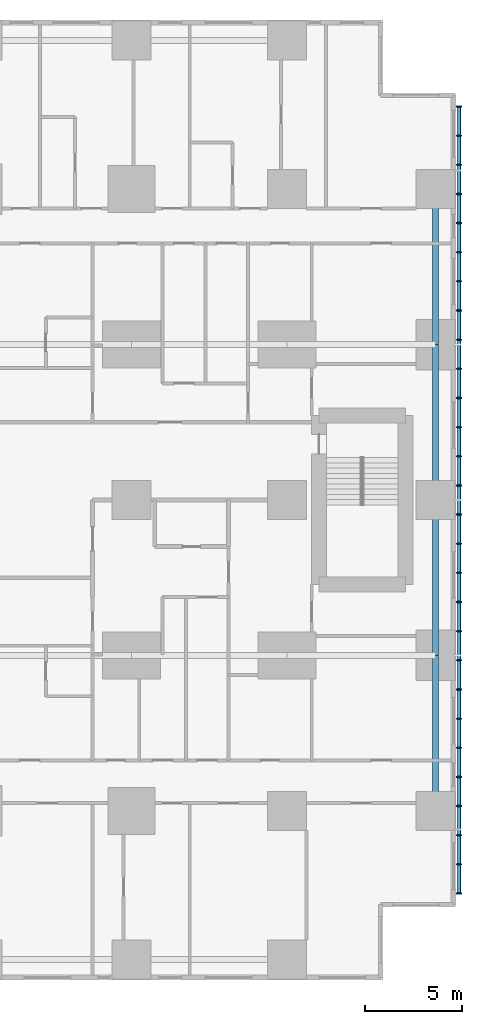
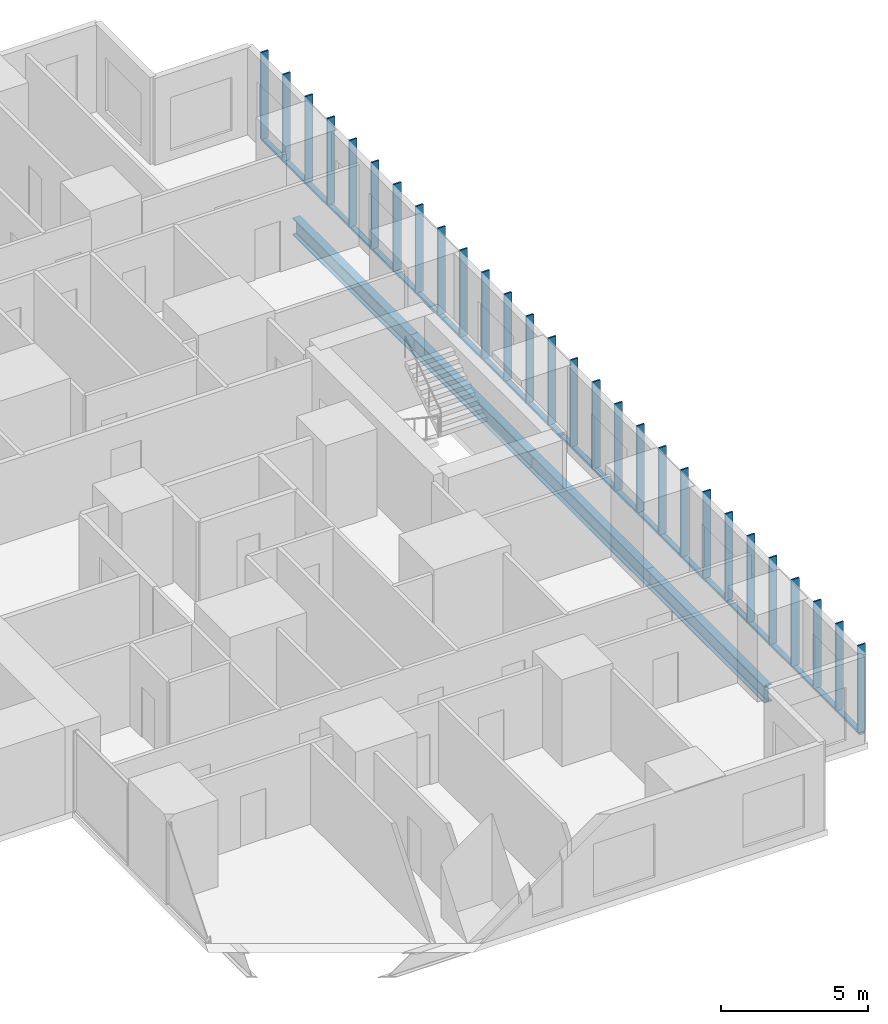
# One storey, part 6 of 20: 32 members, 4 beams.
"""IFC4 building model written with IfcOpenShell, lengths in metres."""

from ifc_helpers import new_model, si_unit, direction, frame, origin, origin_2d, place, context, subcontext, project, spatial, rectangle, hollow_rectangle, i_section, extrude, material, material_profile, profile_set, type_object, element, save


model = new_model("IFC4")

# Units and contexts
model_context = context("Model", 3, precision=1e-05, world=origin(), true_north=direction((0.0, 1.0)))
body_context = subcontext(model_context, "Body", "Model", "MODEL_VIEW")
ifc_project = project(units=[si_unit("LENGTHUNIT", "METRE"), si_unit("AREAUNIT", "SQUARE_METRE"), si_unit("VOLUMEUNIT", "CUBIC_METRE"), si_unit("PLANEANGLEUNIT", "RADIAN"), si_unit("MASSUNIT", "GRAM", prefix="KILO")], contexts=[model_context])

# Site, building, storey
site_placement = place(None, origin())
site = spatial("IfcSite", under=ifc_project, at=site_placement, CompositionType="ELEMENT")
building_placement = place(site_placement, origin())
building = spatial("IfcBuilding", under=site, at=building_placement, Name="Cleftline Residences", CompositionType="ELEMENT")
storey_placement = place(building_placement, frame((0.0, 0.0, 143.0)))
storey = spatial("IfcBuildingStorey", under=building, at=storey_placement, Name="L37", CompositionType="ELEMENT", Elevation=143.0)

# Members
ifc_material_1 = material(Name="Steel S355, hot-dip galvanised", Category="steel")
ifc_material_profile_1 = material_profile(ifc_material_1, hollow_rectangle(XDim=0.10009765625, YDim=0.199951171875, WallThickness=0.008056640625, InnerFilletRadius=0.008056640625, OuterFilletRadius=0.011962890625, at=origin_2d()))
ifc_profile_set_1 = profile_set([ifc_material_profile_1], Name="Steel S355, hot-dip galvanised")
member_type_1 = type_object("IfcMemberType", Name="BAGUETTE CARRIER RHS 200X100X8", PredefinedType="USERDEFINED", material=ifc_profile_set_1)
member_1_placement = place(storey_placement, frame((66.85009765625, 3.699951171875, -0.050048828125), z_axis=(0.0, 1.0, 0.0), x_axis=(0.0, 0.0, 1.0)))
element("IfcMember", 1, at=member_1_placement, inside=storey, type_object=member_type_1, Name="Baguette carrier", ObjectType="BAGUETTE CARRIER", PredefinedType="USERDEFINED", context=body_context, shape_type="SweptSolid", body=[
    extrude(hollow_rectangle(XDim=0.10009765625, YDim=0.199951171875, WallThickness=0.008056640625, InnerFilletRadius=0.008056640625, OuterFilletRadius=0.011962890625, at=origin_2d()), origin(), (0.0, 0.0, 1.0), 12.300048828125),
])
for number, where, z_axis, x_axis, name in (
    (2, (66.85009765625, 16.0, -0.050048828125), (0.0, 1.0, 0.0), (0.0, 0.0, 1.0), "Baguette carrier"),
    (3, (66.85009765625, 24.0, -0.050048828125), (0.0, 1.0, 0.0), (0.0, 0.0, 1.0), "Baguette carrier"),
):
    element("IfcMember", number, at=place(storey_placement, frame(where, z_axis=z_axis, x_axis=x_axis)), inside=storey, type_object=member_type_1, Name=name, ObjectType="BAGUETTE CARRIER", PredefinedType="USERDEFINED", context=body_context, shape_type="SweptSolid", body=[
        extrude(hollow_rectangle(XDim=0.10009765625, YDim=0.199951171875, WallThickness=0.008056640625, InnerFilletRadius=0.008056640625, OuterFilletRadius=0.011962890625, at=origin_2d()), origin(), (0.0, 0.0, 1.0), 8.0),
    ])
member_2_placement = place(storey_placement, frame((66.85009765625, 32.0, -0.050048828125), z_axis=(0.0, 1.0, 0.0), x_axis=(0.0, 0.0, 1.0)))
element("IfcMember", 4, at=member_2_placement, inside=storey, type_object=member_type_1, Name="Baguette carrier", ObjectType="BAGUETTE CARRIER", PredefinedType="USERDEFINED", context=body_context, shape_type="SweptSolid", body=[
    extrude(hollow_rectangle(XDim=0.10009765625, YDim=0.199951171875, WallThickness=0.008056640625, InnerFilletRadius=0.008056640625, OuterFilletRadius=0.011962890625, at=origin_2d()), origin(), (0.0, 0.0, 1.0), 12.300048828125),
])

# Beams
ifc_material_2 = material(Name="Steel S355", Category="steel")
ifc_material_profile_2 = material_profile(ifc_material_2, i_section(OverallWidth=0.300048828125, OverallDepth=0.699951171875, WebThickness=0.01708984375, FlangeThickness=0.031982421875, FilletRadius=0.027099609375, at=origin_2d()))
ifc_profile_set_2 = profile_set([ifc_material_profile_2], Name="Steel S355")
beam_type = type_object("IfcBeamType", Name="BEAM HEB 700", PredefinedType="BEAM", material=ifc_profile_set_2)
for number, where, z_axis, x_axis, name in (
    (5, (65.64990234375, 8.0, -0.60009765625), (0.0, 1.0, 0.0), (-1.0, 0.0, 0.0), "Edge beam"),
    (6, (65.64990234375, 16.0, -0.60009765625), (0.0, 1.0, 0.0), (-1.0, 0.0, 0.0), "Edge beam"),
    (7, (65.64990234375, 24.0, -0.60009765625), (0.0, 1.0, 0.0), (-1.0, 0.0, 0.0), "Edge beam"),
    (8, (65.64990234375, 32.0, -0.60009765625), (0.0, 1.0, 0.0), (-1.0, 0.0, 0.0), "Edge beam"),
):
    element("IfcBeam", number, at=place(storey_placement, frame(where, z_axis=z_axis, x_axis=x_axis)), inside=storey, type_object=beam_type, Name=name, PredefinedType="BEAM", context=body_context, shape_type="SweptSolid", body=[
        extrude(i_section(OverallWidth=0.300048828125, OverallDepth=0.699951171875, WebThickness=0.01708984375, FlangeThickness=0.031982421875, FilletRadius=0.027099609375, at=origin_2d()), origin(), (0.0, 0.0, 1.0), 8.0),
    ])

# Members
ifc_material_3 = material(Name="Extruded terracotta", Category="masonry")
ifc_material_profile_3 = material_profile(ifc_material_3, rectangle(XDim=0.06005859375, YDim=0.300048828125, at=origin_2d()))
ifc_profile_set_3 = profile_set([ifc_material_profile_3], Name="Extruded terracotta")
member_type_2 = type_object("IfcMemberType", Name="TERRACOTTA BAGUETTE 60X300", PredefinedType="USERDEFINED", material=ifc_profile_set_3)
for number, where, z_axis, x_axis, name in (
    (9, (66.85009765625, 3.75, 0.0), (0.0, 0.0, 1.0), (0.0, 1.0, 0.0), "Terracotta baguette"),
    (10, (66.85009765625, 5.25, 0.0), (0.0, 0.0, 1.0), (0.0, 1.0, 0.0), "Terracotta baguette"),
    (11, (66.85009765625, 6.75, 0.0), (0.0, 0.0, 1.0), (0.0, 1.0, 0.0), "Terracotta baguette"),
    (12, (66.85009765625, 8.25, 0.0), (0.0, 0.0, 1.0), (0.0, 1.0, 0.0), "Terracotta baguette"),
    (13, (66.85009765625, 9.75, 0.0), (0.0, 0.0, 1.0), (0.0, 1.0, 0.0), "Terracotta baguette"),
    (14, (66.85009765625, 11.25, 0.0), (0.0, 0.0, 1.0), (0.0, 1.0, 0.0), "Terracotta baguette"),
    (15, (66.85009765625, 12.75, 0.0), (0.0, 0.0, 1.0), (0.0, 1.0, 0.0), "Terracotta baguette"),
    (16, (66.85009765625, 14.25, 0.0), (0.0, 0.0, 1.0), (0.0, 1.0, 0.0), "Terracotta baguette"),
    (17, (66.85009765625, 15.75, 0.0), (0.0, 0.0, 1.0), (0.0, 1.0, 0.0), "Terracotta baguette"),
    (18, (66.85009765625, 17.25, 0.0), (0.0, 0.0, 1.0), (0.0, 1.0, 0.0), "Terracotta baguette"),
    (19, (66.85009765625, 18.75, 0.0), (0.0, 0.0, 1.0), (0.0, 1.0, 0.0), "Terracotta baguette"),
    (20, (66.85009765625, 20.25, 0.0), (0.0, 0.0, 1.0), (0.0, 1.0, 0.0), "Terracotta baguette"),
    (21, (66.85009765625, 21.75, 0.0), (0.0, 0.0, 1.0), (0.0, 1.0, 0.0), "Terracotta baguette"),
    (22, (66.85009765625, 23.25, 0.0), (0.0, 0.0, 1.0), (0.0, 1.0, 0.0), "Terracotta baguette"),
    (23, (66.85009765625, 24.75, 0.0), (0.0, 0.0, 1.0), (0.0, 1.0, 0.0), "Terracotta baguette"),
    (24, (66.85009765625, 26.25, 0.0), (0.0, 0.0, 1.0), (0.0, 1.0, 0.0), "Terracotta baguette"),
    (25, (66.85009765625, 27.75, 0.0), (0.0, 0.0, 1.0), (0.0, 1.0, 0.0), "Terracotta baguette"),
    (26, (66.85009765625, 29.25, 0.0), (0.0, 0.0, 1.0), (0.0, 1.0, 0.0), "Terracotta baguette"),
    (27, (66.85009765625, 30.75, 0.0), (0.0, 0.0, 1.0), (0.0, 1.0, 0.0), "Terracotta baguette"),
    (28, (66.85009765625, 32.25, 0.0), (0.0, 0.0, 1.0), (0.0, 1.0, 0.0), "Terracotta baguette"),
    (29, (66.85009765625, 33.75, 0.0), (0.0, 0.0, 1.0), (0.0, 1.0, 0.0), "Terracotta baguette"),
    (30, (66.85009765625, 35.25, 0.0), (0.0, 0.0, 1.0), (0.0, 1.0, 0.0), "Terracotta baguette"),
    (31, (66.85009765625, 36.75, 0.0), (0.0, 0.0, 1.0), (0.0, 1.0, 0.0), "Terracotta baguette"),
    (32, (66.85009765625, 38.25, 0.0), (0.0, 0.0, 1.0), (0.0, 1.0, 0.0), "Terracotta baguette"),
    (33, (66.85009765625, 39.75, 0.0), (0.0, 0.0, 1.0), (0.0, 1.0, 0.0), "Terracotta baguette"),
    (34, (66.85009765625, 41.25, 0.0), (0.0, 0.0, 1.0), (0.0, 1.0, 0.0), "Terracotta baguette"),
    (35, (66.85009765625, 42.75, 0.0), (0.0, 0.0, 1.0), (0.0, 1.0, 0.0), "Terracotta baguette"),
    (36, (66.85009765625, 44.25, 0.0), (0.0, 0.0, 1.0), (0.0, 1.0, 0.0), "Terracotta baguette"),
):
    element("IfcMember", number, at=place(storey_placement, frame(where, z_axis=z_axis, x_axis=x_axis)), inside=storey, type_object=member_type_2, Name=name, ObjectType="BAGUETTE", PredefinedType="USERDEFINED", context=body_context, shape_type="SweptSolid", body=[
        extrude(rectangle(XDim=0.06005859375, YDim=0.300048828125, at=origin_2d()), origin(), (0.0, 0.0, 1.0), 3.60009765625),
    ])

save(model, "model.ifc")
